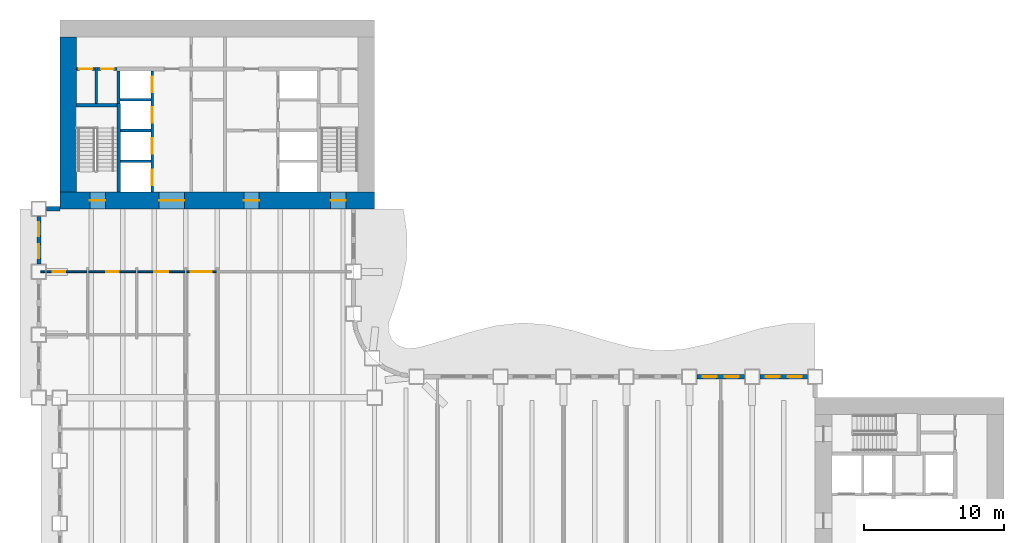
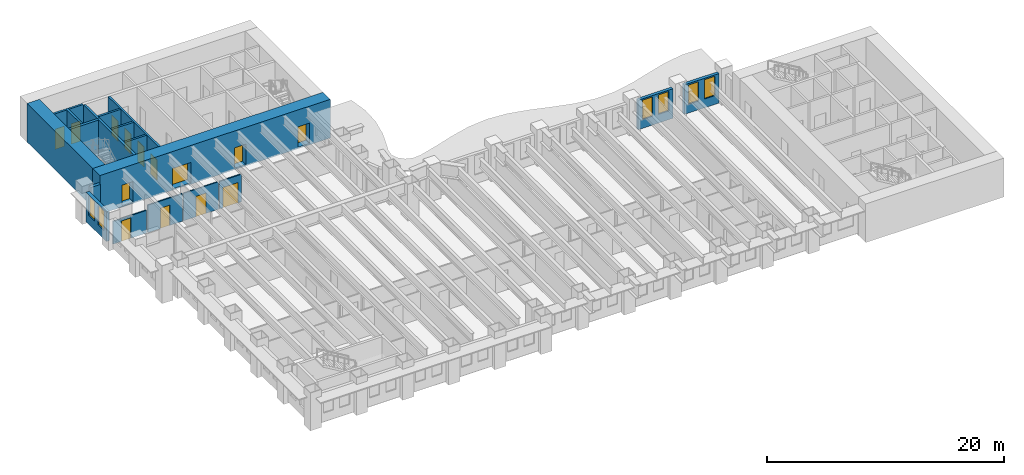
# One storey, part 7 of 16: 20 walls, 14 doors, 6 windows, 20 openings.
"""IFC4 building model written with IfcOpenShell, lengths in metres."""

from ifc_helpers import new_model, si_unit, direction, frame, frame_2d, origin, place, context, subcontext, project, spatial, rectangle, extrude, material, layer, layer_set, type_object, element, fill, save


model = new_model("IFC4")

# Units and contexts
model_context = context("Model", 3, precision=1e-05, world=origin(), true_north=direction((0.0, 1.0)))
body_context = subcontext(model_context, "Body", "Model", "MODEL_VIEW")
ifc_project = project(units=[si_unit("LENGTHUNIT", "METRE"), si_unit("AREAUNIT", "SQUARE_METRE"), si_unit("VOLUMEUNIT", "CUBIC_METRE"), si_unit("PLANEANGLEUNIT", "RADIAN"), si_unit("MASSUNIT", "GRAM", prefix="KILO")], contexts=[model_context])

# Site, building, storey
site_placement = place(None, origin())
site = spatial("IfcSite", under=ifc_project, at=site_placement, CompositionType="ELEMENT")
building_placement = place(site_placement, origin())
building = spatial("IfcBuilding", under=site, at=building_placement, Name="Sennacour Bend Tower", CompositionType="ELEMENT")
storey_placement = place(building_placement, frame((0.0, 0.0, 73.0)))
storey = spatial("IfcBuildingStorey", under=building, at=storey_placement, Name="L16", CompositionType="ELEMENT", Elevation=73.0)

# Wall, openings, doors
ifc_material_1 = material(Name="Concrete C80/95", Category="concrete")
ifc_layer_1 = layer(ifc_material_1, 1.199951171875, Name="Concrete C80/95", Category="concrete")
ifc_layer_set_1 = layer_set([ifc_layer_1], Name="Concrete C80/95")
wall_type_1 = type_object("IfcWallType", Name="Core wall 1200 C80/95", PredefinedType="SHEAR", material=ifc_layer_set_1)
wall_1_placement = place(storey_placement, frame((0.0, 36.60009765625, -0.14990234375), z_axis=(0.0, 0.0, 1.0), x_axis=(1.0, 0.0, 0.0)))
wall_1 = element("IfcWall", 1, at=wall_1_placement, inside=storey, type_object=wall_type_1, Name="Core B wall L16 S", PredefinedType="SHEAR", context=body_context, shape_type="SweptSolid", body=[
    extrude(rectangle(XDim=22.5, YDim=1.199951171875, at=frame_2d((11.25, 0.0))), origin(), (0.0, 0.0, 1.0), 4.0),
])
opening_1_placement = place(wall_1_placement, frame((7.10009765625, 0.0, 0.14990234375)))
opening_1 = element("IfcOpeningElement", 2, at=opening_1_placement, cuts=wall_1, Name="Opening CD", PredefinedType="OPENING", context=body_context, shape_type="SweptSolid", body=[
    extrude(rectangle(XDim=1.800048828125, YDim=2.10009765625, at=frame_2d((0.89990234375, 1.050048828125))), frame((0.0, 0.60986328125, 0.0), z_axis=(0.0, -1.0, 0.0), x_axis=(1.0, 0.0, 0.0)), (0.0, 0.0, 1.0), 1.219970703125),
])
opening_2_placement = place(wall_1_placement, frame((13.14990234375, 0.0, 0.14990234375)))
opening_2 = element("IfcOpeningElement", 3, at=opening_2_placement, cuts=wall_1, Name="Opening FD", PredefinedType="OPENING", context=body_context, shape_type="SweptSolid", body=[
    extrude(rectangle(XDim=1.10009765625, YDim=2.10009765625, at=frame_2d((0.550048828125, 1.050048828125))), frame((0.0, 0.60986328125, 0.0), z_axis=(0.0, -1.0, 0.0), x_axis=(1.0, 0.0, 0.0)), (0.0, 0.0, 1.0), 1.219970703125),
])
opening_3_placement = place(wall_1_placement, frame((2.14990234375, 0.0, 0.14990234375)))
opening_3 = element("IfcOpeningElement", 4, at=opening_3_placement, cuts=wall_1, Name="Opening SD", PredefinedType="OPENING", context=body_context, shape_type="SweptSolid", body=[
    extrude(rectangle(XDim=1.10009765625, YDim=2.10009765625, at=frame_2d((0.550048828125, 1.050048828125))), frame((0.0, 0.60986328125, 0.0), z_axis=(0.0, -1.0, 0.0), x_axis=(1.0, 0.0, 0.0)), (0.0, 0.0, 1.0), 1.219970703125),
])
opening_4_placement = place(wall_1_placement, frame((19.35009765625, 0.0, 0.14990234375)))
opening_4 = element("IfcOpeningElement", 5, at=opening_4_placement, cuts=wall_1, Name="Opening SD", PredefinedType="OPENING", context=body_context, shape_type="SweptSolid", body=[
    extrude(rectangle(XDim=1.10009765625, YDim=2.10009765625, at=frame_2d((0.550048828125, 1.050048828125))), frame((0.0, 0.60986328125, 0.0), z_axis=(0.0, -1.0, 0.0), x_axis=(1.0, 0.0, 0.0)), (0.0, 0.0, 1.0), 1.219970703125),
])
ifc_material_2 = material(Name="Painted steel", Category="steel")
door_type_1 = type_object("IfcDoorType", Name="DR-FFL-1100", OperationType="NOTDEFINED", PredefinedType="DOOR", material=ifc_material_2)
door_1_placement = place(opening_2_placement, origin())
door_1 = element("IfcDoor", 6, at=door_1_placement, inside=storey, type_object=door_type_1, Name="Door", OperationType="SINGLE_SWING_RIGHT", OverallHeight=2.10009765625, OverallWidth=1.10009765625, PredefinedType="DOOR", context=body_context, shape_type="SweptSolid", body=[
    extrude(rectangle(XDim=1.10009765625, YDim=2.10009765625, at=frame_2d((0.550048828125, 1.050048828125))), frame((0.0, 0.02490234375, 0.0), z_axis=(0.0, -1.0, 0.0), x_axis=(1.0, 0.0, 0.0)), (0.0, 0.0, 1.0), 0.050048828125),
])
fill(opening_2, door_1)
door_type_2 = type_object("IfcDoorType", Name="DR-LOBBY-1800", OperationType="NOTDEFINED", PredefinedType="DOOR", material=ifc_material_2)
door_2_placement = place(opening_1_placement, origin())
door_2 = element("IfcDoor", 7, at=door_2_placement, inside=storey, type_object=door_type_2, Name="Door", OperationType="DOUBLE_DOOR_SINGLE_SWING", OverallHeight=2.10009765625, OverallWidth=1.800048828125, PredefinedType="DOOR", context=body_context, shape_type="SweptSolid", body=[
    extrude(rectangle(XDim=1.800048828125, YDim=2.10009765625, at=frame_2d((0.89990234375, 1.050048828125))), frame((0.0, 0.02490234375, 0.0), z_axis=(0.0, -1.0, 0.0), x_axis=(1.0, 0.0, 0.0)), (0.0, 0.0, 1.0), 0.050048828125),
])
fill(opening_1, door_2)
door_type_3 = type_object("IfcDoorType", Name="DR-STAIR-1100", OperationType="NOTDEFINED", PredefinedType="DOOR", material=ifc_material_2)
door_3_placement = place(opening_3_placement, origin())
door_3 = element("IfcDoor", 8, at=door_3_placement, inside=storey, type_object=door_type_3, Name="Door", OperationType="SINGLE_SWING_LEFT", OverallHeight=2.10009765625, OverallWidth=1.10009765625, PredefinedType="DOOR", context=body_context, shape_type="SweptSolid", body=[
    extrude(rectangle(XDim=1.10009765625, YDim=2.10009765625, at=frame_2d((0.550048828125, 1.050048828125))), frame((0.0, 0.02490234375, 0.0), z_axis=(0.0, -1.0, 0.0), x_axis=(1.0, 0.0, 0.0)), (0.0, 0.0, 1.0), 0.050048828125),
])
fill(opening_3, door_3)
door_4_placement = place(opening_4_placement, origin())
door_4 = element("IfcDoor", 9, at=door_4_placement, inside=storey, type_object=door_type_3, Name="Door", OperationType="SINGLE_SWING_RIGHT", OverallHeight=2.10009765625, OverallWidth=1.10009765625, PredefinedType="DOOR", context=body_context, shape_type="SweptSolid", body=[
    extrude(rectangle(XDim=1.10009765625, YDim=2.10009765625, at=frame_2d((0.550048828125, 1.050048828125))), frame((0.0, 0.02490234375, 0.0), z_axis=(0.0, -1.0, 0.0), x_axis=(1.0, 0.0, 0.0)), (0.0, 0.0, 1.0), 0.050048828125),
])
fill(opening_4, door_4)

# Wall
wall_2_placement = place(storey_placement, frame((0.60009765625, 37.199951171875, -0.14990234375), z_axis=(0.0, 0.0, 1.0), x_axis=(0.0, 1.0, 0.0)))
element("IfcWall", 10, at=wall_2_placement, inside=storey, type_object=wall_type_1, Name="Core B wall L16 W", PredefinedType="SHEAR", context=body_context, shape_type="SweptSolid", body=[
    extrude(rectangle(XDim=11.10009765625, YDim=1.199951171875, at=frame_2d((5.550048828125, 0.0))), origin(), (0.0, 0.0, 1.0), 4.0),
])

# Wall, opening, door
ifc_material_3 = material(Name="Plasterboard partition on steel studs", Category="steel")
ifc_layer_2 = layer(ifc_material_3, 0.1201171875, Name="Plasterboard partition on steel studs", Category="steel")
ifc_layer_set_2 = layer_set([ifc_layer_2], Name="Plasterboard partition on steel studs")
wall_type_2 = type_object("IfcWallType", Name="Partition 120", PredefinedType="PARTITIONING", material=ifc_layer_set_2)
wall_3_placement = place(storey_placement, frame((-1.35009765625, 31.5, 0.0), z_axis=(0.0, 0.0, 1.0), x_axis=(1.0, 0.0, 0.0)))
wall_3 = element("IfcWall", 11, at=wall_3_placement, inside=storey, type_object=wall_type_2, Name="P-L16-W076aa", PredefinedType="PARTITIONING", context=body_context, shape_type="SweptSolid", body=[
    extrude(rectangle(XDim=3.2900390625, YDim=0.1201171875, at=frame_2d((1.64501953125, 0.0))), origin(), (0.0, 0.0, 1.0), 2.35009765625),
])
opening_5_placement = place(wall_3_placement, frame((0.85009765625, 0.0, 0.0)))
opening_5 = element("IfcOpeningElement", 12, at=opening_5_placement, cuts=wall_3, Name="Opening WD", PredefinedType="OPENING", context=body_context, shape_type="SweptSolid", body=[
    extrude(rectangle(XDim=0.89990234375, YDim=2.10009765625, at=frame_2d((0.449951171875, 1.050048828125))), frame((0.0, 0.070068359375, 0.0), z_axis=(0.0, -1.0, 0.0), x_axis=(1.0, 0.0, 0.0)), (0.0, 0.0, 1.0), 0.14013671875),
])
ifc_material_4 = material(Name="Timber", Category="wood")
door_type_4 = type_object("IfcDoorType", Name="DR-WC-900", OperationType="NOTDEFINED", PredefinedType="DOOR", material=ifc_material_4)
door_5_placement = place(opening_5_placement, origin())
door_5 = element("IfcDoor", 13, at=door_5_placement, inside=storey, type_object=door_type_4, Name="Door", OperationType="SINGLE_SWING_LEFT", OverallHeight=2.10009765625, OverallWidth=0.89990234375, PredefinedType="DOOR", context=body_context, shape_type="SweptSolid", body=[
    extrude(rectangle(XDim=0.89990234375, YDim=2.10009765625, at=frame_2d((0.449951171875, 1.050048828125))), frame((0.0, 0.02490234375, 0.0), z_axis=(0.0, -1.0, 0.0), x_axis=(1.0, 0.0, 0.0)), (0.0, 0.0, 1.0), 0.050048828125),
])
fill(opening_5, door_5)

wall_4_placement = place(storey_placement, frame((2.06005859375, 31.5, 0.0), z_axis=(0.0, 0.0, 1.0), x_axis=(1.0, 0.0, 0.0)))
wall_4 = element("IfcWall", 14, at=wall_4_placement, inside=storey, type_object=wall_type_2, Name="P-L16-W076ab", PredefinedType="PARTITIONING", context=body_context, shape_type="SweptSolid", body=[
    extrude(rectangle(XDim=3.3798828125, YDim=0.1201171875, at=frame_2d((1.68994140625, 0.0))), origin(), (0.0, 0.0, 1.0), 2.837890625),
])
opening_6_placement = place(wall_4_placement, frame((1.239990234375, 0.0, 0.0)))
opening_6 = element("IfcOpeningElement", 15, at=opening_6_placement, cuts=wall_4, Name="Opening WD", PredefinedType="OPENING", context=body_context, shape_type="SweptSolid", body=[
    extrude(rectangle(XDim=0.89990234375, YDim=2.10009765625, at=frame_2d((0.449951171875, 1.050048828125))), frame((0.0, 0.070068359375, 0.0), z_axis=(0.0, -1.0, 0.0), x_axis=(1.0, 0.0, 0.0)), (0.0, 0.0, 1.0), 0.14013671875),
])
door_6_placement = place(opening_6_placement, origin())
door_6 = element("IfcDoor", 16, at=door_6_placement, inside=storey, type_object=door_type_4, Name="Door", OperationType="SINGLE_SWING_LEFT", OverallHeight=2.10009765625, OverallWidth=0.89990234375, PredefinedType="DOOR", context=body_context, shape_type="SweptSolid", body=[
    extrude(rectangle(XDim=0.89990234375, YDim=2.10009765625, at=frame_2d((0.449951171875, 1.050048828125))), frame((0.0, 0.02490234375, 0.0), z_axis=(0.0, -1.0, 0.0), x_axis=(1.0, 0.0, 0.0)), (0.0, 0.0, 1.0), 0.050048828125),
])
fill(opening_6, door_6)

wall_5_placement = place(storey_placement, frame((5.56005859375, 31.5, 0.0), z_axis=(0.0, 0.0, 1.0), x_axis=(1.0, 0.0, 0.0)))
wall_5 = element("IfcWall", 17, at=wall_5_placement, inside=storey, type_object=wall_type_2, Name="P-L16-W076ac", PredefinedType="PARTITIONING", context=body_context, shape_type="SweptSolid", body=[
    extrude(rectangle(XDim=3.3798828125, YDim=0.1201171875, at=frame_2d((1.68994140625, 0.0))), origin(), (0.0, 0.0, 1.0), 2.837890625),
])
opening_7_placement = place(wall_5_placement, frame((1.18994140625, 0.0, 0.0)))
opening_7 = element("IfcOpeningElement", 18, at=opening_7_placement, cuts=wall_5, Name="Opening AD", PredefinedType="OPENING", context=body_context, shape_type="SweptSolid", body=[
    extrude(rectangle(XDim=1.0, YDim=2.10009765625, at=frame_2d((0.5, 1.050048828125))), frame((0.0, 0.070068359375, 0.0), z_axis=(0.0, -1.0, 0.0), x_axis=(1.0, 0.0, 0.0)), (0.0, 0.0, 1.0), 0.14013671875),
])
door_type_5 = type_object("IfcDoorType", Name="DR-ACC-WC-1000", OperationType="NOTDEFINED", PredefinedType="DOOR", material=ifc_material_4)
door_7_placement = place(opening_7_placement, origin())
door_7 = element("IfcDoor", 19, at=door_7_placement, inside=storey, type_object=door_type_5, Name="Door", OperationType="SINGLE_SWING_LEFT", OverallHeight=2.10009765625, OverallWidth=1.0, PredefinedType="DOOR", context=body_context, shape_type="SweptSolid", body=[
    extrude(rectangle(XDim=1.0, YDim=2.10009765625, at=frame_2d((0.5, 1.050048828125))), frame((0.0, 0.02490234375, 0.0), z_axis=(0.0, -1.0, 0.0), x_axis=(1.0, 0.0, 0.0)), (0.0, 0.0, 1.0), 0.050048828125),
])
fill(opening_7, door_7)

ifc_layer_3 = layer(ifc_material_3, 0.1201171875, Name="Plasterboard partition on steel studs", Category="steel")
ifc_layer_set_3 = layer_set([ifc_layer_3], Name="Plasterboard partition on steel studs")
wall_type_3 = type_object("IfcWallType", Name="Partition 120 EI 30", PredefinedType="PARTITIONING", material=ifc_layer_set_3)
wall_6_placement = place(storey_placement, frame((9.06005859375, 31.5, 0.0), z_axis=(0.0, 0.0, 1.0), x_axis=(1.0, 0.0, 0.0)))
wall_6 = element("IfcWall", 20, at=wall_6_placement, inside=storey, type_object=wall_type_3, Name="P-L16-W076ad", PredefinedType="PARTITIONING", context=body_context, shape_type="SweptSolid", body=[
    extrude(rectangle(XDim=2.1298828125, YDim=0.1201171875, at=frame_2d((1.06494140625, 0.0))), origin(), (0.0, 0.0, 1.0), 2.837890625),
])
opening_8_placement = place(wall_6_placement, frame((0.31494140625, 0.0, 0.0)))
opening_8 = element("IfcOpeningElement", 21, at=opening_8_placement, cuts=wall_6, Name="Opening KD", PredefinedType="OPENING", context=body_context, shape_type="SweptSolid", body=[
    extrude(rectangle(XDim=1.5, YDim=2.10009765625, at=frame_2d((0.75, 1.050048828125))), frame((0.0, 0.070068359375, 0.0), z_axis=(0.0, -1.0, 0.0), x_axis=(1.0, 0.0, 0.0)), (0.0, 0.0, 1.0), 0.14013671875),
])
door_type_6 = type_object("IfcDoorType", Name="DR-CORRIDOR-1500", OperationType="NOTDEFINED", PredefinedType="DOOR", material=ifc_material_2)
door_8_placement = place(opening_8_placement, origin())
door_8 = element("IfcDoor", 22, at=door_8_placement, inside=storey, type_object=door_type_6, Name="Door", OperationType="SINGLE_SWING_LEFT", OverallHeight=2.10009765625, OverallWidth=1.5, PredefinedType="DOOR", context=body_context, shape_type="SweptSolid", body=[
    extrude(rectangle(XDim=1.5, YDim=2.10009765625, at=frame_2d((0.75, 1.050048828125))), frame((0.0, 0.02490234375, 0.0), z_axis=(0.0, -1.0, 0.0), x_axis=(1.0, 0.0, 0.0)), (0.0, 0.0, 1.0), 0.050048828125),
])
fill(opening_8, door_8)

# Wall
ifc_material_5 = material(Name="Fire-rated plasterboard partition on steel studs", Category="steel")
ifc_layer_4 = layer(ifc_material_5, 0.199951171875, Name="Fire-rated plasterboard partition on steel studs", Category="steel")
ifc_layer_set_4 = layer_set([ifc_layer_4], Name="Fire-rated plasterboard partition on steel studs")
wall_type_4 = type_object("IfcWallType", Name="Rated partition 200", PredefinedType="PARTITIONING", material=ifc_layer_set_4)
wall_7_placement = place(storey_placement, frame((2.60009765625, 43.52490234375, 0.0), z_axis=(0.0, 0.0, 1.0), x_axis=(0.0, 1.0, 0.0)))
element("IfcWall", 23, at=wall_7_placement, inside=storey, type_object=wall_type_4, Name="P-L16-W005", PredefinedType="PARTITIONING", context=body_context, shape_type="SweptSolid", body=[
    extrude(rectangle(XDim=2.5751953125, YDim=0.199951171875, at=frame_2d((1.28759765625, 0.0))), origin(), (0.0, 0.0, 1.0), 3.75),
])

# Wall, opening, door
wall_8_placement = place(storey_placement, frame((1.199951171875, 46.0, 0.0), z_axis=(0.0, 0.0, 1.0), x_axis=(1.0, 0.0, 0.0)))
wall_8 = element("IfcWall", 24, at=wall_8_placement, inside=storey, type_object=wall_type_4, Name="P-L16-W088a", PredefinedType="PARTITIONING", context=body_context, shape_type="SweptSolid", body=[
    extrude(rectangle(XDim=1.300048828125, YDim=0.199951171875, at=frame_2d((0.64990234375, 0.0))), origin(), (0.0, 0.0, 1.0), 3.75),
])
opening_9_placement = place(wall_8_placement, frame((0.199951171875, 0.0, 0.0)))
opening_9 = element("IfcOpeningElement", 25, at=opening_9_placement, cuts=wall_8, Name="Opening SV", PredefinedType="OPENING", context=body_context, shape_type="SweptSolid", body=[
    extrude(rectangle(XDim=0.89990234375, YDim=2.10009765625, at=frame_2d((0.449951171875, 1.050048828125))), frame((0.0, 0.10986328125, 0.0), z_axis=(0.0, -1.0, 0.0), x_axis=(1.0, 0.0, 0.0)), (0.0, 0.0, 1.0), 0.219970703125),
])
door_type_7 = type_object("IfcDoorType", Name="DR-SERVICE-900", OperationType="NOTDEFINED", PredefinedType="DOOR", material=ifc_material_2)
door_9_placement = place(opening_9_placement, origin())
door_9 = element("IfcDoor", 26, at=door_9_placement, inside=storey, type_object=door_type_7, Name="Door", OperationType="SINGLE_SWING_LEFT", OverallHeight=2.10009765625, OverallWidth=0.89990234375, PredefinedType="DOOR", context=body_context, shape_type="SweptSolid", body=[
    extrude(rectangle(XDim=0.89990234375, YDim=2.10009765625, at=frame_2d((0.449951171875, 1.050048828125))), frame((0.0, 0.02490234375, 0.0), z_axis=(0.0, -1.0, 0.0), x_axis=(1.0, 0.0, 0.0)), (0.0, 0.0, 1.0), 0.050048828125),
])
fill(opening_9, door_9)

wall_9_placement = place(storey_placement, frame((2.699951171875, 46.0, 0.0), z_axis=(0.0, 0.0, 1.0), x_axis=(1.0, 0.0, 0.0)))
wall_9 = element("IfcWall", 27, at=wall_9_placement, inside=storey, type_object=wall_type_4, Name="P-L16-W088b", PredefinedType="PARTITIONING", context=body_context, shape_type="SweptSolid", body=[
    extrude(rectangle(XDim=1.400146484375, YDim=0.199951171875, at=frame_2d((0.7001953125, 0.0))), origin(), (0.0, 0.0, 1.0), 3.75),
])
opening_10_placement = place(wall_9_placement, frame((0.25, 0.0, 0.0)))
opening_10 = element("IfcOpeningElement", 28, at=opening_10_placement, cuts=wall_9, Name="Opening WD", PredefinedType="OPENING", context=body_context, shape_type="SweptSolid", body=[
    extrude(rectangle(XDim=0.89990234375, YDim=2.10009765625, at=frame_2d((0.449951171875, 1.050048828125))), frame((0.0, 0.10986328125, 0.0), z_axis=(0.0, -1.0, 0.0), x_axis=(1.0, 0.0, 0.0)), (0.0, 0.0, 1.0), 0.219970703125),
])
door_10_placement = place(opening_10_placement, origin())
door_10 = element("IfcDoor", 29, at=door_10_placement, inside=storey, type_object=door_type_4, Name="Door", OperationType="SINGLE_SWING_LEFT", OverallHeight=2.10009765625, OverallWidth=0.89990234375, PredefinedType="DOOR", context=body_context, shape_type="SweptSolid", body=[
    extrude(rectangle(XDim=0.89990234375, YDim=2.10009765625, at=frame_2d((0.449951171875, 1.050048828125))), frame((0.0, 0.02490234375, 0.0), z_axis=(0.0, -1.0, 0.0), x_axis=(1.0, 0.0, 0.0)), (0.0, 0.0, 1.0), 0.050048828125),
])
fill(opening_10, door_10)

# Wall, openings, windows
ifc_material_6 = material(Name="Warm limestone cladding", Category="masonry")
ifc_layer_5 = layer(ifc_material_6, 0.050048828125, Name="Warm limestone cladding", Category="masonry")
ifc_material_7 = material(Name="Precast concrete C40/50", Category="concrete")
ifc_layer_6 = layer(ifc_material_7, 0.25, Name="Precast concrete C40/50", Category="concrete")
ifc_layer_set_5 = layer_set([ifc_layer_5, ifc_layer_6], Name="Precast concrete C40/50 with limestone cladding")
wall_type_5 = type_object("IfcWallType", Name="STONE-CLAD PRECAST SPANDREL 300", PredefinedType="STANDARD", material=ifc_layer_set_5)
wall_10_placement = place(storey_placement, frame((53.449951171875, 24.0, 0.0), z_axis=(0.0, 0.0, 1.0), x_axis=(-1.0, 0.0, 0.0)))
wall_10 = element("IfcWall", 30, at=wall_10_placement, inside=storey, type_object=wall_type_5, Name="Stone spandrel and pier wall L16 08.00", PredefinedType="STANDARD", context=body_context, shape_type="SweptSolid", body=[
    extrude(rectangle(XDim=3.39990234375, YDim=0.300048828125, at=frame_2d((1.699951171875, 0.0))), origin(), (0.0, 0.0, 1.0), 3.0439453125),
])
opening_11_placement = place(wall_10_placement, frame((0.39990234375, 0.0, 0.89990234375)))
opening_11 = element("IfcOpeningElement", 31, at=opening_11_placement, cuts=wall_10, Name="Opening W8", PredefinedType="OPENING", context=body_context, shape_type="SweptSolid", body=[
    extrude(rectangle(XDim=1.0, YDim=2.0, at=frame_2d((0.5, 1.0))), frame((0.0, 0.16015625, 0.0), z_axis=(0.0, -1.0, 0.0), x_axis=(1.0, 0.0, 0.0)), (0.0, 0.0, 1.0), 0.320068359375),
])
opening_12_placement = place(wall_10_placement, frame((2.0, 0.0, 0.89990234375)))
opening_12 = element("IfcOpeningElement", 32, at=opening_12_placement, cuts=wall_10, Name="Opening W8", PredefinedType="OPENING", context=body_context, shape_type="SweptSolid", body=[
    extrude(rectangle(XDim=1.0, YDim=2.0, at=frame_2d((0.5, 1.0))), frame((0.0, 0.16015625, 0.0), z_axis=(0.0, -1.0, 0.0), x_axis=(1.0, 0.0, 0.0)), (0.0, 0.0, 1.0), 0.320068359375),
])
ifc_material_8 = material(Name="Clear low-emissivity glass", Category="glass")
window_type = type_object("IfcWindowType", Name="WIN-RIBBON-1000x2000", PartitioningType="SINGLE_PANEL", PredefinedType="WINDOW", material=ifc_material_8)
window_1_placement = place(opening_11_placement, origin())
window_1 = element("IfcWindow", 33, at=window_1_placement, inside=storey, type_object=window_type, Name="Ribbon window L16 08.00.0", OverallHeight=2.0, OverallWidth=1.0, PartitioningType="SINGLE_PANEL", PredefinedType="WINDOW", context=body_context, shape_type="SweptSolid", body=[
    extrude(rectangle(XDim=1.0, YDim=2.0, at=frame_2d((0.5, 1.0))), frame((0.0, 0.030029296875, 0.0), z_axis=(0.0, -1.0, 0.0), x_axis=(1.0, 0.0, 0.0)), (0.0, 0.0, 1.0), 0.06005859375),
])
fill(opening_11, window_1)
window_2_placement = place(opening_12_placement, origin())
window_2 = element("IfcWindow", 34, at=window_2_placement, inside=storey, type_object=window_type, Name="Ribbon window L16 08.00.1", OverallHeight=2.0, OverallWidth=1.0, PartitioningType="SINGLE_PANEL", PredefinedType="WINDOW", context=body_context, shape_type="SweptSolid", body=[
    extrude(rectangle(XDim=1.0, YDim=2.0, at=frame_2d((0.5, 1.0))), frame((0.0, 0.030029296875, 0.0), z_axis=(0.0, -1.0, 0.0), x_axis=(1.0, 0.0, 0.0)), (0.0, 0.0, 1.0), 0.06005859375),
])
fill(opening_12, window_2)

wall_11_placement = place(storey_placement, frame((48.949951171875, 24.0, 0.0), z_axis=(0.0, 0.0, 1.0), x_axis=(-1.0, 0.0, 0.0)))
wall_11 = element("IfcWall", 35, at=wall_11_placement, inside=storey, type_object=wall_type_5, Name="Stone spandrel and pier wall L16 08.01", PredefinedType="STANDARD", context=body_context, shape_type="SweptSolid", body=[
    extrude(rectangle(XDim=3.39990234375, YDim=0.300048828125, at=frame_2d((1.699951171875, 0.0))), origin(), (0.0, 0.0, 1.0), 3.0439453125),
])
opening_13_placement = place(wall_11_placement, frame((0.39990234375, 0.0, 0.89990234375)))
opening_13 = element("IfcOpeningElement", 36, at=opening_13_placement, cuts=wall_11, Name="Opening W8", PredefinedType="OPENING", context=body_context, shape_type="SweptSolid", body=[
    extrude(rectangle(XDim=1.0, YDim=2.0, at=frame_2d((0.5, 1.0))), frame((0.0, 0.16015625, 0.0), z_axis=(0.0, -1.0, 0.0), x_axis=(1.0, 0.0, 0.0)), (0.0, 0.0, 1.0), 0.320068359375),
])
opening_14_placement = place(wall_11_placement, frame((2.0, 0.0, 0.89990234375)))
opening_14 = element("IfcOpeningElement", 37, at=opening_14_placement, cuts=wall_11, Name="Opening W8", PredefinedType="OPENING", context=body_context, shape_type="SweptSolid", body=[
    extrude(rectangle(XDim=1.0, YDim=2.0, at=frame_2d((0.5, 1.0))), frame((0.0, 0.16015625, 0.0), z_axis=(0.0, -1.0, 0.0), x_axis=(1.0, 0.0, 0.0)), (0.0, 0.0, 1.0), 0.320068359375),
])
window_3_placement = place(opening_13_placement, origin())
window_3 = element("IfcWindow", 38, at=window_3_placement, inside=storey, type_object=window_type, Name="Ribbon window L16 08.01.0", OverallHeight=2.0, OverallWidth=1.0, PartitioningType="SINGLE_PANEL", PredefinedType="WINDOW", context=body_context, shape_type="SweptSolid", body=[
    extrude(rectangle(XDim=1.0, YDim=2.0, at=frame_2d((0.5, 1.0))), frame((0.0, 0.030029296875, 0.0), z_axis=(0.0, -1.0, 0.0), x_axis=(1.0, 0.0, 0.0)), (0.0, 0.0, 1.0), 0.06005859375),
])
fill(opening_13, window_3)
window_4_placement = place(opening_14_placement, origin())
window_4 = element("IfcWindow", 39, at=window_4_placement, inside=storey, type_object=window_type, Name="Ribbon window L16 08.01.1", OverallHeight=2.0, OverallWidth=1.0, PartitioningType="SINGLE_PANEL", PredefinedType="WINDOW", context=body_context, shape_type="SweptSolid", body=[
    extrude(rectangle(XDim=1.0, YDim=2.0, at=frame_2d((0.5, 1.0))), frame((0.0, 0.030029296875, 0.0), z_axis=(0.0, -1.0, 0.0), x_axis=(1.0, 0.0, 0.0)), (0.0, 0.0, 1.0), 0.06005859375),
])
fill(opening_14, window_4)

# Wall
wall_12_placement = place(storey_placement, frame((0.0, 36.0, 0.0), z_axis=(0.0, 0.0, 1.0), x_axis=(-1.0, 0.0, 0.0)))
element("IfcWall", 40, at=wall_12_placement, inside=storey, type_object=wall_type_5, Name="Stone spandrel and pier wall L16 20.00", PredefinedType="STANDARD", context=body_context, shape_type="SweptSolid", body=[
    extrude(rectangle(XDim=0.949951171875, YDim=0.300048828125, at=frame_2d((0.47509765625, 0.0))), origin(), (0.0, 0.0, 1.0), 3.0439453125),
])

# Wall, openings, windows
wall_13_placement = place(storey_placement, frame((-1.5, 35.449951171875, 0.0), z_axis=(0.0, 0.0, 1.0), x_axis=(0.0, -1.0, 0.0)))
wall_13 = element("IfcWall", 41, at=wall_13_placement, inside=storey, type_object=wall_type_5, Name="Stone spandrel and pier wall L16 21.00", PredefinedType="STANDARD", context=body_context, shape_type="SweptSolid", body=[
    extrude(rectangle(XDim=3.39990234375, YDim=0.300048828125, at=frame_2d((1.699951171875, 0.0))), origin(), (0.0, 0.0, 1.0), 3.0439453125),
])
opening_15_placement = place(wall_13_placement, frame((0.39990234375, 0.0, 0.89990234375)))
opening_15 = element("IfcOpeningElement", 42, at=opening_15_placement, cuts=wall_13, Name="Opening W8", PredefinedType="OPENING", context=body_context, shape_type="SweptSolid", body=[
    extrude(rectangle(XDim=1.0, YDim=2.0, at=frame_2d((0.5, 1.0))), frame((0.0, 0.16015625, 0.0), z_axis=(0.0, -1.0, 0.0), x_axis=(1.0, 0.0, 0.0)), (0.0, 0.0, 1.0), 0.320068359375),
])
opening_16_placement = place(wall_13_placement, frame((2.0, 0.0, 0.89990234375)))
opening_16 = element("IfcOpeningElement", 43, at=opening_16_placement, cuts=wall_13, Name="Opening W8", PredefinedType="OPENING", context=body_context, shape_type="SweptSolid", body=[
    extrude(rectangle(XDim=1.0, YDim=2.0, at=frame_2d((0.5, 1.0))), frame((0.0, 0.16015625, 0.0), z_axis=(0.0, -1.0, 0.0), x_axis=(1.0, 0.0, 0.0)), (0.0, 0.0, 1.0), 0.320068359375),
])
window_5_placement = place(opening_15_placement, origin())
window_5 = element("IfcWindow", 44, at=window_5_placement, inside=storey, type_object=window_type, Name="Ribbon window L16 21.00.0", OverallHeight=2.0, OverallWidth=1.0, PartitioningType="SINGLE_PANEL", PredefinedType="WINDOW", context=body_context, shape_type="SweptSolid", body=[
    extrude(rectangle(XDim=1.0, YDim=2.0, at=frame_2d((0.5, 1.0))), frame((0.0, 0.030029296875, 0.0), z_axis=(0.0, -1.0, 0.0), x_axis=(1.0, 0.0, 0.0)), (0.0, 0.0, 1.0), 0.06005859375),
])
fill(opening_15, window_5)
window_6_placement = place(opening_16_placement, origin())
window_6 = element("IfcWindow", 45, at=window_6_placement, inside=storey, type_object=window_type, Name="Ribbon window L16 21.00.1", OverallHeight=2.0, OverallWidth=1.0, PartitioningType="SINGLE_PANEL", PredefinedType="WINDOW", context=body_context, shape_type="SweptSolid", body=[
    extrude(rectangle(XDim=1.0, YDim=2.0, at=frame_2d((0.5, 1.0))), frame((0.0, 0.030029296875, 0.0), z_axis=(0.0, -1.0, 0.0), x_axis=(1.0, 0.0, 0.0)), (0.0, 0.0, 1.0), 0.06005859375),
])
fill(opening_16, window_6)

# Wall
ifc_material_9 = material(Name="Concrete C50/60", Category="concrete")
ifc_layer_7 = layer(ifc_material_9, 0.199951171875, Name="Concrete C50/60", Category="concrete")
ifc_layer_set_6 = layer_set([ifc_layer_7], Name="Concrete C50/60")
wall_type_6 = type_object("IfcWallType", Name="Shaft wall 200", PredefinedType="SOLIDWALL", material=ifc_layer_set_6)
wall_14_placement = place(storey_placement, frame((4.199951171875, 43.52490234375, 0.0), z_axis=(0.0, 0.0, 1.0), x_axis=(0.0, 1.0, 0.0)))
element("IfcWall", 46, at=wall_14_placement, inside=storey, type_object=wall_type_6, Name="P-L16-W007", PredefinedType="SOLIDWALL", context=body_context, shape_type="SweptSolid", body=[
    extrude(rectangle(XDim=2.3251953125, YDim=0.199951171875, at=frame_2d((1.16259765625, 0.0))), origin(), (0.0, 0.0, 1.0), 3.75),
])

# Wall, openings, doors
wall_15_placement = place(storey_placement, frame((6.60009765625, 37.199951171875, 0.0), z_axis=(0.0, 0.0, 1.0), x_axis=(0.0, 1.0, 0.0)))
wall_15 = element("IfcWall", 47, at=wall_15_placement, inside=storey, type_object=wall_type_6, Name="P-L16-W009", PredefinedType="SOLIDWALL", context=body_context, shape_type="SweptSolid", body=[
    extrude(rectangle(XDim=8.650146484375, YDim=0.199951171875, at=frame_2d((4.3251953125, 0.0))), origin(), (0.0, 0.0, 1.0), 3.75),
])
opening_17_placement = place(wall_15_placement, frame((0.5, 0.0, 0.011962890625)))
opening_17 = element("IfcOpeningElement", 48, at=opening_17_placement, cuts=wall_15, Name="Opening LD", PredefinedType="OPENING", context=body_context, shape_type="SweptSolid", body=[
    extrude(rectangle(XDim=1.10009765625, YDim=2.10009765625, at=frame_2d((0.550048828125, 1.050048828125))), frame((0.0, 0.10986328125, 0.0), z_axis=(0.0, -1.0, 0.0), x_axis=(1.0, 0.0, 0.0)), (0.0, 0.0, 1.0), 0.219970703125),
])
opening_18_placement = place(wall_15_placement, frame((2.75, 0.0, 0.011962890625)))
opening_18 = element("IfcOpeningElement", 49, at=opening_18_placement, cuts=wall_15, Name="Opening LD", PredefinedType="OPENING", context=body_context, shape_type="SweptSolid", body=[
    extrude(rectangle(XDim=1.10009765625, YDim=2.10009765625, at=frame_2d((0.550048828125, 1.050048828125))), frame((0.0, 0.10986328125, 0.0), z_axis=(0.0, -1.0, 0.0), x_axis=(1.0, 0.0, 0.0)), (0.0, 0.0, 1.0), 0.219970703125),
])
opening_19_placement = place(wall_15_placement, frame((4.949951171875, 0.0, 0.011962890625)))
opening_19 = element("IfcOpeningElement", 50, at=opening_19_placement, cuts=wall_15, Name="Opening LD", PredefinedType="OPENING", context=body_context, shape_type="SweptSolid", body=[
    extrude(rectangle(XDim=1.10009765625, YDim=2.10009765625, at=frame_2d((0.550048828125, 1.050048828125))), frame((0.0, 0.10986328125, 0.0), z_axis=(0.0, -1.0, 0.0), x_axis=(1.0, 0.0, 0.0)), (0.0, 0.0, 1.0), 0.219970703125),
])
opening_20_placement = place(wall_15_placement, frame((7.125, 0.0, 0.011962890625)))
opening_20 = element("IfcOpeningElement", 51, at=opening_20_placement, cuts=wall_15, Name="Opening LD", PredefinedType="OPENING", context=body_context, shape_type="SweptSolid", body=[
    extrude(rectangle(XDim=1.10009765625, YDim=2.10009765625, at=frame_2d((0.550048828125, 1.050048828125))), frame((0.0, 0.10986328125, 0.0), z_axis=(0.0, -1.0, 0.0), x_axis=(1.0, 0.0, 0.0)), (0.0, 0.0, 1.0), 0.219970703125),
])
ifc_material_10 = material(Name="Stainless steel", Category="steel")
door_type_8 = type_object("IfcDoorType", Name="DR-LANDING-1100", OperationType="NOTDEFINED", PredefinedType="DOOR", material=ifc_material_10)
door_11_placement = place(opening_17_placement, origin())
door_11 = element("IfcDoor", 52, at=door_11_placement, inside=storey, type_object=door_type_8, Name="Lift landing door LB1", OperationType="SLIDING_TO_LEFT", OverallHeight=2.10009765625, OverallWidth=1.10009765625, PredefinedType="DOOR", context=body_context, shape_type="SweptSolid", body=[
    extrude(rectangle(XDim=1.10009765625, YDim=2.10009765625, at=frame_2d((0.550048828125, 1.050048828125))), frame((0.0, 0.02490234375, 0.0), z_axis=(0.0, -1.0, 0.0), x_axis=(1.0, 0.0, 0.0)), (0.0, 0.0, 1.0), 0.050048828125),
])
fill(opening_17, door_11)
door_12_placement = place(opening_18_placement, origin())
door_12 = element("IfcDoor", 53, at=door_12_placement, inside=storey, type_object=door_type_8, Name="Lift landing door LB2", OperationType="SLIDING_TO_RIGHT", OverallHeight=2.10009765625, OverallWidth=1.10009765625, PredefinedType="DOOR", context=body_context, shape_type="SweptSolid", body=[
    extrude(rectangle(XDim=1.10009765625, YDim=2.10009765625, at=frame_2d((0.550048828125, 1.050048828125))), frame((0.0, 0.02490234375, 0.0), z_axis=(0.0, -1.0, 0.0), x_axis=(1.0, 0.0, 0.0)), (0.0, 0.0, 1.0), 0.050048828125),
])
fill(opening_18, door_12)
door_13_placement = place(opening_19_placement, origin())
door_13 = element("IfcDoor", 54, at=door_13_placement, inside=storey, type_object=door_type_8, Name="Lift landing door LB3", OperationType="SLIDING_TO_LEFT", OverallHeight=2.10009765625, OverallWidth=1.10009765625, PredefinedType="DOOR", context=body_context, shape_type="SweptSolid", body=[
    extrude(rectangle(XDim=1.10009765625, YDim=2.10009765625, at=frame_2d((0.550048828125, 1.050048828125))), frame((0.0, 0.02490234375, 0.0), z_axis=(0.0, -1.0, 0.0), x_axis=(1.0, 0.0, 0.0)), (0.0, 0.0, 1.0), 0.050048828125),
])
fill(opening_19, door_13)
door_14_placement = place(opening_20_placement, origin())
door_14 = element("IfcDoor", 55, at=door_14_placement, inside=storey, type_object=door_type_8, Name="Lift landing door LB4", OperationType="SLIDING_TO_RIGHT", OverallHeight=2.10009765625, OverallWidth=1.10009765625, PredefinedType="DOOR", context=body_context, shape_type="SweptSolid", body=[
    extrude(rectangle(XDim=1.10009765625, YDim=2.10009765625, at=frame_2d((0.550048828125, 1.050048828125))), frame((0.0, 0.02490234375, 0.0), z_axis=(0.0, -1.0, 0.0), x_axis=(1.0, 0.0, 0.0)), (0.0, 0.0, 1.0), 0.050048828125),
])
fill(opening_20, door_14)

# Walls
for number, where, z_axis, x_axis, name in (
    (56, (4.324951171875, 39.39990234375, 0.0), (0.0, 0.0, 1.0), (1.0, 0.0, 0.0), "P-L16-W078"),
    (57, (4.324951171875, 41.60009765625, 0.0), (0.0, 0.0, 1.0), (1.0, 0.0, 0.0), "P-L16-W080"),
):
    element("IfcWall", number, at=place(storey_placement, frame(where, z_axis=z_axis, x_axis=x_axis)), inside=storey, type_object=wall_type_6, Name=name, PredefinedType="SOLIDWALL", context=body_context, shape_type="SweptSolid", body=[
        extrude(rectangle(XDim=2.175048828125, YDim=0.199951171875, at=frame_2d((1.08740234375, 0.0))), origin(), (0.0, 0.0, 1.0), 3.75),
    ])
wall_16_placement = place(storey_placement, frame((4.300048828125, 43.800048828125, 0.0), z_axis=(0.0, 0.0, 1.0), x_axis=(1.0, 0.0, 0.0)))
element("IfcWall", 58, at=wall_16_placement, inside=storey, type_object=wall_type_6, Name="P-L16-W085", PredefinedType="SOLIDWALL", context=body_context, shape_type="SweptSolid", body=[
    extrude(rectangle(XDim=2.199951171875, YDim=0.199951171875, at=frame_2d((1.10009765625, 0.0))), origin(), (0.0, 0.0, 1.0), 3.75),
])
ifc_material_11 = material(Name="Concrete C60/75", Category="concrete")
ifc_layer_8 = layer(ifc_material_11, 0.25, Name="Concrete C60/75", Category="concrete")
ifc_layer_set_7 = layer_set([ifc_layer_8], Name="Concrete C60/75")
wall_type_7 = type_object("IfcWallType", Name="Stair wall 250", PredefinedType="SHEAR", material=ifc_layer_set_7)
wall_17_placement = place(storey_placement, frame((4.199951171875, 37.199951171875, 0.0), z_axis=(0.0, 0.0, 1.0), x_axis=(0.0, 1.0, 0.0)))
element("IfcWall", 59, at=wall_17_placement, inside=storey, type_object=wall_type_7, Name="P-L16-W006", PredefinedType="SHEAR", context=body_context, shape_type="SweptSolid", body=[
    extrude(rectangle(XDim=6.324951171875, YDim=0.25, at=frame_2d((3.16259765625, 0.0))), origin(), (0.0, 0.0, 1.0), 3.75),
])
wall_18_placement = place(storey_placement, frame((1.199951171875, 43.39990234375, 0.0), z_axis=(0.0, 0.0, 1.0), x_axis=(1.0, 0.0, 0.0)))
element("IfcWall", 60, at=wall_18_placement, inside=storey, type_object=wall_type_7, Name="P-L16-W083", PredefinedType="SHEAR", context=body_context, shape_type="SweptSolid", body=[
    extrude(rectangle(XDim=2.875, YDim=0.25, at=frame_2d((1.4375, 0.0))), origin(), (0.0, 0.0, 1.0), 3.75),
])

save(model, "model.ifc")
